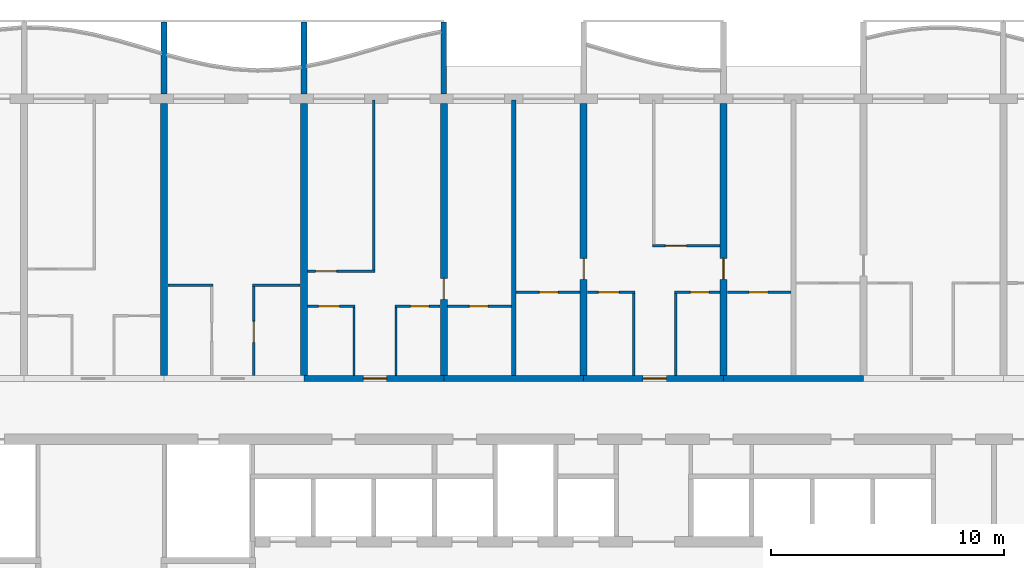
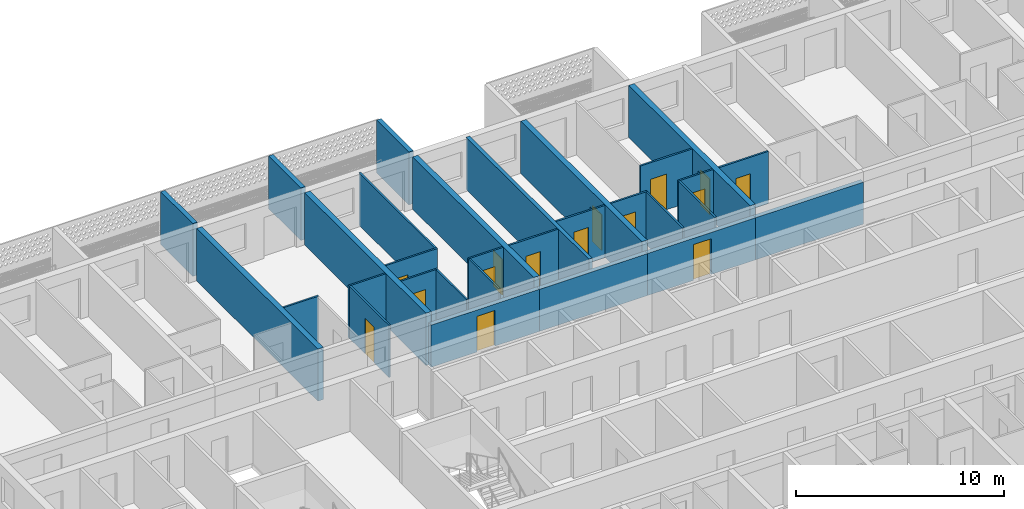
# One storey, part 9 of 32: 30 walls, 15 doors, 15 openings.
"""IFC4 building model written with IfcOpenShell, lengths in metres."""

from ifc_helpers import new_model, si_unit, direction, frame, frame_2d, origin, place, context, subcontext, project, spatial, polyline, rectangle, outline, extrude, source, transform, mapped, material, layer, layer_set, type_object, element, fill, save


model = new_model("IFC4")

# Units and contexts
model_context = context("Model", 3, precision=1e-05, world=origin(), true_north=direction((0.0, 1.0)))
body_context = subcontext(model_context, "Body", "Model", "MODEL_VIEW")
ifc_project = project(units=[si_unit("LENGTHUNIT", "METRE"), si_unit("AREAUNIT", "SQUARE_METRE"), si_unit("VOLUMEUNIT", "CUBIC_METRE"), si_unit("PLANEANGLEUNIT", "RADIAN"), si_unit("MASSUNIT", "GRAM", prefix="KILO")], contexts=[model_context])

# Site, building, storey
site_placement = place(None, origin())
site = spatial("IfcSite", under=ifc_project, at=site_placement, CompositionType="ELEMENT")
building_placement = place(site_placement, origin())
building = spatial("IfcBuilding", under=site, at=building_placement, Name="Poui Terraces", CompositionType="ELEMENT")
storey_placement = place(building_placement, frame((0.0, 0.0, 122.39990234375)))
storey = spatial("IfcBuildingStorey", under=building, at=storey_placement, Name="L33", CompositionType="ELEMENT", Elevation=122.39990234375)

# Wall, opening, door
ifc_material_1 = material(Name="Concrete 65 MPa", Category="concrete")
ifc_layer_1 = layer(ifc_material_1, 0.25)
ifc_layer_set_1 = layer_set([ifc_layer_1], Name="Concrete 65 MPa")
wall_type_1 = type_object("IfcWallType", Name="CORRIDOR WALL 250 65MPa", PredefinedType="SHEAR", material=ifc_layer_set_1)
wall_1_placement = place(storey_placement, frame((36.0, 30.39990234375, 0.0), z_axis=(0.0, 0.0, 1.0), x_axis=(1.0, 0.0, 0.0)))
wall_1 = element("IfcWall", 1, at=wall_1_placement, inside=storey, type_object=wall_type_1, Name="CORRIDOR WALL LINE E BAY 5", PredefinedType="SHEAR", context=body_context, shape_type="SweptSolid", body=[
    extrude(rectangle(XDim=6.0, YDim=0.25, at=frame_2d((3.0, 0.0))), origin(), (0.0, 0.0, 1.0), 2.47021484375),
])
opening_1_placement = place(wall_1_placement, frame((2.550048828125, 0.0, 0.0)))
opening_1 = element("IfcOpeningElement", 2, at=opening_1_placement, cuts=wall_1, Name="Opening FD30S", PredefinedType="OPENING", context=body_context, shape_type="SweptSolid", body=[
    extrude(rectangle(XDim=1.0, YDim=2.10009765625, at=frame_2d((0.5, 1.050048828125))), frame((0.0, 0.135009765625, 0.0), z_axis=(0.0, -1.0, 0.0), x_axis=(1.0, 0.0, 0.0)), (0.0, 0.0, 1.0), 0.27001953125),
])
ifc_material_2 = material(Name="Steel fire door", Category="steel")
door_type_1 = type_object("IfcDoorType", Name="FLAT ENTRANCE DOOR 1000 X 2100", OperationType="NOTDEFINED", PredefinedType="DOOR", material=ifc_material_2)
door_1_placement = place(opening_1_placement, origin())
door_1 = element("IfcDoor", 3, at=door_1_placement, inside=storey, type_object=door_type_1, Name="FLAT ENTRANCE DOOR 049", OperationType="SINGLE_SWING_RIGHT", OverallHeight=2.10009765625, OverallWidth=1.0, PredefinedType="DOOR", context=body_context, shape_type="SweptSolid", body=[
    extrude(rectangle(XDim=1.0, YDim=2.10009765625, at=frame_2d((0.5, 1.050048828125))), frame((0.0, 0.02490234375, 0.0), z_axis=(0.0, -1.0, 0.0), x_axis=(1.0, 0.0, 0.0)), (0.0, 0.0, 1.0), 0.050048828125),
])
fill(opening_1, door_1)

# Wall
wall_2_placement = place(storey_placement, frame((42.0, 30.39990234375, 0.0), z_axis=(0.0, 0.0, 1.0), x_axis=(1.0, 0.0, 0.0)))
element("IfcWall", 4, at=wall_2_placement, inside=storey, type_object=wall_type_1, Name="CORRIDOR WALL LINE E BAY 6", PredefinedType="SHEAR", context=body_context, shape_type="SweptSolid", body=[
    extrude(rectangle(XDim=6.0, YDim=0.25, at=frame_2d((3.0, 0.0))), origin(), (0.0, 0.0, 1.0), 2.47021484375),
])

# Wall, opening, door
wall_3_placement = place(storey_placement, frame((48.0, 30.39990234375, 0.0), z_axis=(0.0, 0.0, 1.0), x_axis=(1.0, 0.0, 0.0)))
wall_3 = element("IfcWall", 5, at=wall_3_placement, inside=storey, type_object=wall_type_1, Name="CORRIDOR WALL LINE E BAY 7", PredefinedType="SHEAR", context=body_context, shape_type="SweptSolid", body=[
    extrude(rectangle(XDim=6.0, YDim=0.25, at=frame_2d((3.0, 0.0))), origin(), (0.0, 0.0, 1.0), 2.47021484375),
])
opening_2_placement = place(wall_3_placement, frame((2.550048828125, 0.0, 0.0)))
opening_2 = element("IfcOpeningElement", 6, at=opening_2_placement, cuts=wall_3, Name="Opening FD30S", PredefinedType="OPENING", context=body_context, shape_type="SweptSolid", body=[
    extrude(rectangle(XDim=1.0, YDim=2.10009765625, at=frame_2d((0.5, 1.050048828125))), frame((0.0, 0.135009765625, 0.0), z_axis=(0.0, -1.0, 0.0), x_axis=(1.0, 0.0, 0.0)), (0.0, 0.0, 1.0), 0.27001953125),
])
door_2_placement = place(opening_2_placement, origin())
door_2 = element("IfcDoor", 7, at=door_2_placement, inside=storey, type_object=door_type_1, Name="FLAT ENTRANCE DOOR 056", OperationType="SINGLE_SWING_RIGHT", OverallHeight=2.10009765625, OverallWidth=1.0, PredefinedType="DOOR", context=body_context, shape_type="SweptSolid", body=[
    extrude(rectangle(XDim=1.0, YDim=2.10009765625, at=frame_2d((0.5, 1.050048828125))), frame((0.0, 0.02490234375, 0.0), z_axis=(0.0, -1.0, 0.0), x_axis=(1.0, 0.0, 0.0)), (0.0, 0.0, 1.0), 0.050048828125),
])
fill(opening_2, door_2)

# Walls
wall_4_placement = place(storey_placement, frame((54.0, 30.39990234375, 0.0), z_axis=(0.0, 0.0, 1.0), x_axis=(1.0, 0.0, 0.0)))
element("IfcWall", 8, at=wall_4_placement, inside=storey, type_object=wall_type_1, Name="CORRIDOR WALL LINE E BAY 8", PredefinedType="SHEAR", context=body_context, shape_type="SweptSolid", body=[
    extrude(rectangle(XDim=6.0, YDim=0.25, at=frame_2d((3.0, 0.0))), origin(), (0.0, 0.0, 1.0), 2.47021484375),
])
ifc_layer_2 = layer(ifc_material_1, 0.300048828125)
ifc_layer_set_2 = layer_set([ifc_layer_2], Name="Concrete 65 MPa")
wall_type_2 = type_object("IfcWallType", Name="CROSS WALL 300 65MPa", PredefinedType="SHEAR", material=ifc_layer_set_2)
for number, where, z_axis, x_axis, name in (
    (9, (30.0, 30.52490234375, 0.0), (0.0, 0.0, 1.0), (0.0, 1.0, 0.0), "CROSS WALL LINE 6 NORTH"),
    (10, (36.0, 30.52490234375, 0.0), (0.0, 0.0, 1.0), (0.0, 1.0, 0.0), "CROSS WALL LINE 7 NORTH"),
):
    element("IfcWall", number, at=place(storey_placement, frame(where, z_axis=z_axis, x_axis=x_axis)), inside=storey, type_object=wall_type_2, Name=name, PredefinedType="SHEAR", context=body_context, shape_type="SweptSolid", body=[
        extrude(rectangle(XDim=11.675048828125, YDim=0.300048828125, at=frame_2d((5.83740234375, 0.0))), origin(), (0.0, 0.0, 1.0), 3.070068359375),
    ])

# Wall, opening, door
wall_5_placement = place(storey_placement, frame((42.0, 30.52490234375, 0.0), z_axis=(0.0, 0.0, 1.0), x_axis=(0.0, 1.0, 0.0)))
wall_5 = element("IfcWall", 11, at=wall_5_placement, inside=storey, type_object=wall_type_2, Name="CROSS WALL LINE 8 NORTH", PredefinedType="SHEAR", context=body_context, shape_type="SweptSolid", body=[
    extrude(rectangle(XDim=11.675048828125, YDim=0.300048828125, at=frame_2d((5.83740234375, 0.0))), origin(), (0.0, 0.0, 1.0), 3.070068359375),
])
opening_3_placement = place(wall_5_placement, frame((3.27490234375, 0.0, 0.0)))
opening_3 = element("IfcOpeningElement", 12, at=opening_3_placement, cuts=wall_5, Name="Opening D90", PredefinedType="OPENING", context=body_context, shape_type="SweptSolid", body=[
    extrude(rectangle(XDim=0.89990234375, YDim=2.10009765625, at=frame_2d((0.449951171875, 1.050048828125))), frame((0.0, 0.16015625, 0.0), z_axis=(0.0, -1.0, 0.0), x_axis=(1.0, 0.0, 0.0)), (0.0, 0.0, 1.0), 0.320068359375),
])
ifc_material_3 = material(Name="Solid core timber door", Category="wood")
door_type_2 = type_object("IfcDoorType", Name="INTERNAL DOOR 900 X 2100", OperationType="NOTDEFINED", PredefinedType="DOOR", material=ifc_material_3)
door_3_placement = place(opening_3_placement, frame((0.89990234375, 0.0, 0.0), z_axis=(0.0, 0.0, 1.0), x_axis=(-1.0, 0.0, 0.0)))
door_3 = element("IfcDoor", 13, at=door_3_placement, inside=storey, type_object=door_type_2, Name="INTERNAL DOOR 051", OperationType="SINGLE_SWING_RIGHT", OverallHeight=2.10009765625, OverallWidth=0.89990234375, PredefinedType="DOOR", context=body_context, shape_type="SweptSolid", body=[
    extrude(rectangle(XDim=0.89990234375, YDim=2.10009765625, at=frame_2d((0.449951171875, 1.050048828125))), frame((0.0, 0.02490234375, 0.0), z_axis=(0.0, -1.0, 0.0), x_axis=(1.0, 0.0, 0.0)), (0.0, 0.0, 1.0), 0.050048828125),
])
fill(opening_3, door_3)

wall_6_placement = place(storey_placement, frame((48.0, 30.52490234375, 0.0), z_axis=(0.0, 0.0, 1.0), x_axis=(0.0, 1.0, 0.0)))
wall_6 = element("IfcWall", 14, at=wall_6_placement, inside=storey, type_object=wall_type_2, Name="CROSS WALL LINE 9 NORTH", PredefinedType="SHEAR", context=body_context, shape_type="SweptSolid", body=[
    extrude(rectangle(XDim=11.675048828125, YDim=0.300048828125, at=frame_2d((5.83740234375, 0.0))), origin(), (0.0, 0.0, 1.0), 3.070068359375),
])
opening_4_placement = place(wall_6_placement, frame((4.125, 0.0, 0.0)))
opening_4 = element("IfcOpeningElement", 15, at=opening_4_placement, cuts=wall_6, Name="Opening D90", PredefinedType="OPENING", context=body_context, shape_type="SweptSolid", body=[
    extrude(rectangle(XDim=0.89990234375, YDim=2.10009765625, at=frame_2d((0.449951171875, 1.050048828125))), frame((0.0, 0.16015625, 0.0), z_axis=(0.0, -1.0, 0.0), x_axis=(1.0, 0.0, 0.0)), (0.0, 0.0, 1.0), 0.320068359375),
])
door_4_placement = place(opening_4_placement, origin())
door_4 = element("IfcDoor", 16, at=door_4_placement, inside=storey, type_object=door_type_2, Name="INTERNAL DOOR 054", OperationType="SINGLE_SWING_LEFT", OverallHeight=2.10009765625, OverallWidth=0.89990234375, PredefinedType="DOOR", context=body_context, shape_type="SweptSolid", body=[
    extrude(rectangle(XDim=0.89990234375, YDim=2.10009765625, at=frame_2d((0.449951171875, 1.050048828125))), frame((0.0, 0.02490234375, 0.0), z_axis=(0.0, -1.0, 0.0), x_axis=(1.0, 0.0, 0.0)), (0.0, 0.0, 1.0), 0.050048828125),
])
fill(opening_4, door_4)

wall_7_placement = place(storey_placement, frame((54.0, 30.52490234375, 0.0), z_axis=(0.0, 0.0, 1.0), x_axis=(0.0, 1.0, 0.0)))
wall_7 = element("IfcWall", 17, at=wall_7_placement, inside=storey, type_object=wall_type_2, Name="CROSS WALL LINE 10 NORTH", PredefinedType="SHEAR", context=body_context, shape_type="SweptSolid", body=[
    extrude(rectangle(XDim=11.675048828125, YDim=0.300048828125, at=frame_2d((5.83740234375, 0.0))), origin(), (0.0, 0.0, 1.0), 3.070068359375),
])
opening_5_placement = place(wall_7_placement, frame((4.125, 0.0, 0.0)))
opening_5 = element("IfcOpeningElement", 18, at=opening_5_placement, cuts=wall_7, Name="Opening D90", PredefinedType="OPENING", context=body_context, shape_type="SweptSolid", body=[
    extrude(rectangle(XDim=0.89990234375, YDim=2.10009765625, at=frame_2d((0.449951171875, 1.050048828125))), frame((0.0, 0.16015625, 0.0), z_axis=(0.0, -1.0, 0.0), x_axis=(1.0, 0.0, 0.0)), (0.0, 0.0, 1.0), 0.320068359375),
])
door_5_placement = place(opening_5_placement, frame((0.89990234375, 0.0, 0.0), z_axis=(0.0, 0.0, 1.0), x_axis=(-1.0, 0.0, 0.0)))
door_5 = element("IfcDoor", 19, at=door_5_placement, inside=storey, type_object=door_type_2, Name="INTERNAL DOOR 059", OperationType="SINGLE_SWING_RIGHT", OverallHeight=2.10009765625, OverallWidth=0.89990234375, PredefinedType="DOOR", context=body_context, shape_type="SweptSolid", body=[
    extrude(rectangle(XDim=0.89990234375, YDim=2.10009765625, at=frame_2d((0.449951171875, 1.050048828125))), frame((0.0, 0.02490234375, 0.0), z_axis=(0.0, -1.0, 0.0), x_axis=(1.0, 0.0, 0.0)), (0.0, 0.0, 1.0), 0.050048828125),
])
fill(opening_5, door_5)

ifc_material_4 = material(Name="Plasterboard partition")
ifc_layer_3 = layer(ifc_material_4, 0.10009765625)
ifc_layer_set_3 = layer_set([ifc_layer_3], Name="Plasterboard partition")
wall_type_3 = type_object("IfcWallType", Name="FLAT PARTITION 100", PredefinedType="PARTITIONING", material=ifc_layer_set_3)
wall_8_placement = place(storey_placement, frame((36.159912109375, 33.5, 0.0), z_axis=(0.0, 0.0, 1.0), x_axis=(1.0, 0.0, 0.0)))
wall_8 = element("IfcWall", 20, at=wall_8_placement, inside=storey, type_object=wall_type_3, Name="FLAT PARTITION 100", PredefinedType="PARTITIONING", context=body_context, shape_type="SweptSolid", body=[
    extrude(rectangle(XDim=2.0400390625, YDim=0.10009765625, at=frame_2d((1.02001953125, 0.0))), origin(), (0.0, 0.0, 1.0), 3.070068359375),
])
opening_6_placement = place(wall_8_placement, frame((0.465087890625, 0.0, 0.0)))
opening_6 = element("IfcOpeningElement", 21, at=opening_6_placement, cuts=wall_8, Name="Opening D90", PredefinedType="OPENING", context=body_context, shape_type="SweptSolid", body=[
    extrude(rectangle(XDim=0.89990234375, YDim=2.10009765625, at=frame_2d((0.449951171875, 1.050048828125))), frame((0.0, 0.06005859375, 0.0), z_axis=(0.0, -1.0, 0.0), x_axis=(1.0, 0.0, 0.0)), (0.0, 0.0, 1.0), 0.1201171875),
])
door_6_placement = place(opening_6_placement, frame((0.89990234375, 0.0, 0.0), z_axis=(0.0, 0.0, 1.0), x_axis=(-1.0, 0.0, 0.0)))
door_6 = element("IfcDoor", 22, at=door_6_placement, inside=storey, type_object=door_type_2, Name="INTERNAL DOOR 048", OperationType="SINGLE_SWING_RIGHT", OverallHeight=2.10009765625, OverallWidth=0.89990234375, PredefinedType="DOOR", context=body_context, shape_type="SweptSolid", body=[
    extrude(rectangle(XDim=0.89990234375, YDim=2.10009765625, at=frame_2d((0.449951171875, 1.050048828125))), frame((0.0, 0.02490234375, 0.0), z_axis=(0.0, -1.0, 0.0), x_axis=(1.0, 0.0, 0.0)), (0.0, 0.0, 1.0), 0.050048828125),
])
fill(opening_6, door_6)

wall_9_placement = place(storey_placement, frame((39.89990234375, 33.5, 0.0), z_axis=(0.0, 0.0, 1.0), x_axis=(1.0, 0.0, 0.0)))
wall_9 = element("IfcWall", 23, at=wall_9_placement, inside=storey, type_object=wall_type_3, Name="FLAT PARTITION 100", PredefinedType="PARTITIONING", context=body_context, shape_type="SweptSolid", body=[
    extrude(rectangle(XDim=1.940185546875, YDim=0.10009765625, at=frame_2d((0.97021484375, 0.0))), origin(), (0.0, 0.0, 1.0), 3.070068359375),
])
opening_7_placement = place(wall_9_placement, frame((0.675048828125, 0.0, 0.0)))
opening_7 = element("IfcOpeningElement", 24, at=opening_7_placement, cuts=wall_9, Name="Opening D80", PredefinedType="OPENING", context=body_context, shape_type="SweptSolid", body=[
    extrude(rectangle(XDim=0.800048828125, YDim=2.10009765625, at=frame_2d((0.39990234375, 1.050048828125))), frame((0.0, 0.06005859375, 0.0), z_axis=(0.0, -1.0, 0.0), x_axis=(1.0, 0.0, 0.0)), (0.0, 0.0, 1.0), 0.1201171875),
])
door_type_3 = type_object("IfcDoorType", Name="BATHROOM, LAUNDRY AND STORE DOOR 800 X 2100", OperationType="NOTDEFINED", PredefinedType="DOOR", material=ifc_material_3)
door_7_placement = place(opening_7_placement, frame((0.800048828125, 0.0, 0.0), z_axis=(0.0, 0.0, 1.0), x_axis=(-1.0, 0.0, 0.0)))
door_7 = element("IfcDoor", 25, at=door_7_placement, inside=storey, type_object=door_type_3, Name="BATHROOM, LAUNDRY AND STORE DOOR 050", OperationType="SINGLE_SWING_LEFT", OverallHeight=2.10009765625, OverallWidth=0.800048828125, PredefinedType="DOOR", context=body_context, shape_type="SweptSolid", body=[
    extrude(rectangle(XDim=0.800048828125, YDim=2.10009765625, at=frame_2d((0.39990234375, 1.050048828125))), frame((0.0, 0.02490234375, 0.0), z_axis=(0.0, -1.0, 0.0), x_axis=(1.0, 0.0, 0.0)), (0.0, 0.0, 1.0), 0.050048828125),
])
fill(opening_7, door_7)

wall_10_placement = place(storey_placement, frame((42.159912109375, 33.5, 0.0), z_axis=(0.0, 0.0, 1.0), x_axis=(1.0, 0.0, 0.0)))
wall_10 = element("IfcWall", 26, at=wall_10_placement, inside=storey, type_object=wall_type_3, Name="FLAT PARTITION 100", PredefinedType="PARTITIONING", context=body_context, shape_type="SweptSolid", body=[
    extrude(rectangle(XDim=2.739990234375, YDim=0.10009765625, at=frame_2d((1.3701171875, 0.0))), origin(), (0.0, 0.0, 1.0), 3.070068359375),
])
opening_8_placement = place(wall_10_placement, frame((0.93994140625, 0.0, 0.0)))
opening_8 = element("IfcOpeningElement", 27, at=opening_8_placement, cuts=wall_10, Name="Opening D80", PredefinedType="OPENING", context=body_context, shape_type="SweptSolid", body=[
    extrude(rectangle(XDim=0.800048828125, YDim=2.10009765625, at=frame_2d((0.39990234375, 1.050048828125))), frame((0.0, 0.06005859375, 0.0), z_axis=(0.0, -1.0, 0.0), x_axis=(1.0, 0.0, 0.0)), (0.0, 0.0, 1.0), 0.1201171875),
])
door_8_placement = place(opening_8_placement, frame((0.800048828125, 0.0, 0.0), z_axis=(0.0, 0.0, 1.0), x_axis=(-1.0, 0.0, 0.0)))
door_8 = element("IfcDoor", 28, at=door_8_placement, inside=storey, type_object=door_type_3, Name="BATHROOM, LAUNDRY AND STORE DOOR 046", OperationType="SINGLE_SWING_RIGHT", OverallHeight=2.10009765625, OverallWidth=0.800048828125, PredefinedType="DOOR", context=body_context, shape_type="SweptSolid", body=[
    extrude(rectangle(XDim=0.800048828125, YDim=2.10009765625, at=frame_2d((0.39990234375, 1.050048828125))), frame((0.0, 0.02490234375, 0.0), z_axis=(0.0, -1.0, 0.0), x_axis=(1.0, 0.0, 0.0)), (0.0, 0.0, 1.0), 0.050048828125),
])
fill(opening_8, door_8)

wall_11_placement = place(storey_placement, frame((45.10009765625, 34.10009765625, 0.0), z_axis=(0.0, 0.0, 1.0), x_axis=(1.0, 0.0, 0.0)))
wall_11 = element("IfcWall", 29, at=wall_11_placement, inside=storey, type_object=wall_type_3, Name="FLAT PARTITION 100", PredefinedType="PARTITIONING", context=body_context, shape_type="SweptSolid", body=[
    extrude(rectangle(XDim=2.739990234375, YDim=0.10009765625, at=frame_2d((1.3701171875, 0.0))), origin(), (0.0, 0.0, 1.0), 3.070068359375),
])
opening_9_placement = place(wall_11_placement, frame((1.0, 0.0, 0.0)))
opening_9 = element("IfcOpeningElement", 30, at=opening_9_placement, cuts=wall_11, Name="Opening D80", PredefinedType="OPENING", context=body_context, shape_type="SweptSolid", body=[
    extrude(rectangle(XDim=0.800048828125, YDim=2.10009765625, at=frame_2d((0.39990234375, 1.050048828125))), frame((0.0, 0.06005859375, 0.0), z_axis=(0.0, -1.0, 0.0), x_axis=(1.0, 0.0, 0.0)), (0.0, 0.0, 1.0), 0.1201171875),
])
door_9_placement = place(opening_9_placement, frame((0.800048828125, 0.0, 0.0), z_axis=(0.0, 0.0, 1.0), x_axis=(-1.0, 0.0, 0.0)))
door_9 = element("IfcDoor", 31, at=door_9_placement, inside=storey, type_object=door_type_3, Name="BATHROOM, LAUNDRY AND STORE DOOR 052", OperationType="SINGLE_SWING_LEFT", OverallHeight=2.10009765625, OverallWidth=0.800048828125, PredefinedType="DOOR", context=body_context, shape_type="SweptSolid", body=[
    extrude(rectangle(XDim=0.800048828125, YDim=2.10009765625, at=frame_2d((0.39990234375, 1.050048828125))), frame((0.0, 0.02490234375, 0.0), z_axis=(0.0, -1.0, 0.0), x_axis=(1.0, 0.0, 0.0)), (0.0, 0.0, 1.0), 0.050048828125),
])
fill(opening_9, door_9)

wall_12_placement = place(storey_placement, frame((48.159912109375, 34.10009765625, 0.0), z_axis=(0.0, 0.0, 1.0), x_axis=(1.0, 0.0, 0.0)))
wall_12 = element("IfcWall", 32, at=wall_12_placement, inside=storey, type_object=wall_type_3, Name="FLAT PARTITION 100", PredefinedType="PARTITIONING", context=body_context, shape_type="SweptSolid", body=[
    extrude(rectangle(XDim=2.0400390625, YDim=0.10009765625, at=frame_2d((1.02001953125, 0.0))), origin(), (0.0, 0.0, 1.0), 3.070068359375),
])
opening_10_placement = place(wall_12_placement, frame((0.465087890625, 0.0, 0.0)))
opening_10 = element("IfcOpeningElement", 33, at=opening_10_placement, cuts=wall_12, Name="Opening D90", PredefinedType="OPENING", context=body_context, shape_type="SweptSolid", body=[
    extrude(rectangle(XDim=0.89990234375, YDim=2.10009765625, at=frame_2d((0.449951171875, 1.050048828125))), frame((0.0, 0.06005859375, 0.0), z_axis=(0.0, -1.0, 0.0), x_axis=(1.0, 0.0, 0.0)), (0.0, 0.0, 1.0), 0.1201171875),
])
door_10_placement = place(opening_10_placement, frame((0.89990234375, 0.0, 0.0), z_axis=(0.0, 0.0, 1.0), x_axis=(-1.0, 0.0, 0.0)))
door_10 = element("IfcDoor", 34, at=door_10_placement, inside=storey, type_object=door_type_2, Name="INTERNAL DOOR 055", OperationType="SINGLE_SWING_LEFT", OverallHeight=2.10009765625, OverallWidth=0.89990234375, PredefinedType="DOOR", context=body_context, shape_type="SweptSolid", body=[
    extrude(rectangle(XDim=0.89990234375, YDim=2.10009765625, at=frame_2d((0.449951171875, 1.050048828125))), frame((0.0, 0.02490234375, 0.0), z_axis=(0.0, -1.0, 0.0), x_axis=(1.0, 0.0, 0.0)), (0.0, 0.0, 1.0), 0.050048828125),
])
fill(opening_10, door_10)

wall_13_placement = place(storey_placement, frame((51.89990234375, 34.10009765625, 0.0), z_axis=(0.0, 0.0, 1.0), x_axis=(1.0, 0.0, 0.0)))
wall_13 = element("IfcWall", 35, at=wall_13_placement, inside=storey, type_object=wall_type_3, Name="FLAT PARTITION 100", PredefinedType="PARTITIONING", context=body_context, shape_type="SweptSolid", body=[
    extrude(rectangle(XDim=1.940185546875, YDim=0.10009765625, at=frame_2d((0.97021484375, 0.0))), origin(), (0.0, 0.0, 1.0), 3.070068359375),
])
opening_11_placement = place(wall_13_placement, frame((0.675048828125, 0.0, 0.0)))
opening_11 = element("IfcOpeningElement", 36, at=opening_11_placement, cuts=wall_13, Name="Opening D80", PredefinedType="OPENING", context=body_context, shape_type="SweptSolid", body=[
    extrude(rectangle(XDim=0.800048828125, YDim=2.10009765625, at=frame_2d((0.39990234375, 1.050048828125))), frame((0.0, 0.06005859375, 0.0), z_axis=(0.0, -1.0, 0.0), x_axis=(1.0, 0.0, 0.0)), (0.0, 0.0, 1.0), 0.1201171875),
])
door_11_placement = place(opening_11_placement, frame((0.800048828125, 0.0, 0.0), z_axis=(0.0, 0.0, 1.0), x_axis=(-1.0, 0.0, 0.0)))
door_11 = element("IfcDoor", 37, at=door_11_placement, inside=storey, type_object=door_type_3, Name="BATHROOM, LAUNDRY AND STORE DOOR 058", OperationType="SINGLE_SWING_RIGHT", OverallHeight=2.10009765625, OverallWidth=0.800048828125, PredefinedType="DOOR", context=body_context, shape_type="SweptSolid", body=[
    extrude(rectangle(XDim=0.800048828125, YDim=2.10009765625, at=frame_2d((0.39990234375, 1.050048828125))), frame((0.0, 0.02490234375, 0.0), z_axis=(0.0, -1.0, 0.0), x_axis=(1.0, 0.0, 0.0)), (0.0, 0.0, 1.0), 0.050048828125),
])
fill(opening_11, door_11)

wall_14_placement = place(storey_placement, frame((54.159912109375, 34.10009765625, 0.0), z_axis=(0.0, 0.0, 1.0), x_axis=(1.0, 0.0, 0.0)))
wall_14 = element("IfcWall", 38, at=wall_14_placement, inside=storey, type_object=wall_type_3, Name="FLAT PARTITION 100", PredefinedType="PARTITIONING", context=body_context, shape_type="SweptSolid", body=[
    extrude(rectangle(XDim=2.739990234375, YDim=0.10009765625, at=frame_2d((1.3701171875, 0.0))), origin(), (0.0, 0.0, 1.0), 3.070068359375),
])
opening_12_placement = place(wall_14_placement, frame((0.93994140625, 0.0, 0.0)))
opening_12 = element("IfcOpeningElement", 39, at=opening_12_placement, cuts=wall_14, Name="Opening D80", PredefinedType="OPENING", context=body_context, shape_type="SweptSolid", body=[
    extrude(rectangle(XDim=0.800048828125, YDim=2.10009765625, at=frame_2d((0.39990234375, 1.050048828125))), frame((0.0, 0.06005859375, 0.0), z_axis=(0.0, -1.0, 0.0), x_axis=(1.0, 0.0, 0.0)), (0.0, 0.0, 1.0), 0.1201171875),
])
door_12_placement = place(opening_12_placement, frame((0.800048828125, 0.0, 0.0), z_axis=(0.0, 0.0, 1.0), x_axis=(-1.0, 0.0, 0.0)))
door_12 = element("IfcDoor", 40, at=door_12_placement, inside=storey, type_object=door_type_3, Name="BATHROOM, LAUNDRY AND STORE DOOR 053", OperationType="SINGLE_SWING_LEFT", OverallHeight=2.10009765625, OverallWidth=0.800048828125, PredefinedType="DOOR", context=body_context, shape_type="SweptSolid", body=[
    extrude(rectangle(XDim=0.800048828125, YDim=2.10009765625, at=frame_2d((0.39990234375, 1.050048828125))), frame((0.0, 0.02490234375, 0.0), z_axis=(0.0, -1.0, 0.0), x_axis=(1.0, 0.0, 0.0)), (0.0, 0.0, 1.0), 0.050048828125),
])
fill(opening_12, door_12)

# Walls
wall_15_placement = place(storey_placement, frame((30.159912109375, 34.39990234375, 0.0), z_axis=(0.0, 0.0, 1.0), x_axis=(1.0, 0.0, 0.0)))
element("IfcWall", 41, at=wall_15_placement, inside=storey, type_object=wall_type_3, Name="FLAT PARTITION 100", PredefinedType="PARTITIONING", context=body_context, shape_type="SweptSolid", body=[
    extrude(rectangle(XDim=1.940185546875, YDim=0.10009765625, at=frame_2d((0.97021484375, 0.0))), origin(), (0.0, 0.0, 1.0), 3.070068359375),
])
wall_16_placement = place(storey_placement, frame((33.800048828125, 34.39990234375, 0.0), z_axis=(0.0, 0.0, 1.0), x_axis=(1.0, 0.0, 0.0)))
element("IfcWall", 42, at=wall_16_placement, inside=storey, type_object=wall_type_3, Name="FLAT PARTITION 100", PredefinedType="PARTITIONING", context=body_context, shape_type="SweptSolid", body=[
    extrude(rectangle(XDim=2.0400390625, YDim=0.10009765625, at=frame_2d((1.02001953125, 0.0))), origin(), (0.0, 0.0, 1.0), 3.070068359375),
])

# Wall, opening, door
wall_17_placement = place(storey_placement, frame((36.159912109375, 35.0, 0.0), z_axis=(0.0, 0.0, 1.0), x_axis=(1.0, 0.0, 0.0)))
wall_17 = element("IfcWall", 43, at=wall_17_placement, inside=storey, type_object=wall_type_3, Name="FLAT PARTITION 100", PredefinedType="PARTITIONING", context=body_context, shape_type="SweptSolid", body=[
    extrude(rectangle(XDim=2.89013671875, YDim=0.10009765625, at=frame_2d((1.445068359375, 0.0))), origin(), (0.0, 0.0, 1.0), 3.070068359375),
])
opening_13_placement = place(wall_17_placement, frame((0.340087890625, 0.0, 0.0)))
opening_13 = element("IfcOpeningElement", 44, at=opening_13_placement, cuts=wall_17, Name="Opening D90", PredefinedType="OPENING", context=body_context, shape_type="SweptSolid", body=[
    extrude(rectangle(XDim=0.89990234375, YDim=2.10009765625, at=frame_2d((0.449951171875, 1.050048828125))), frame((0.0, 0.06005859375, 0.0), z_axis=(0.0, -1.0, 0.0), x_axis=(1.0, 0.0, 0.0)), (0.0, 0.0, 1.0), 0.1201171875),
])
door_13_placement = place(opening_13_placement, frame((0.89990234375, 0.0, 0.0), z_axis=(0.0, 0.0, 1.0), x_axis=(-1.0, 0.0, 0.0)))
door_13 = element("IfcDoor", 45, at=door_13_placement, inside=storey, type_object=door_type_2, Name="INTERNAL DOOR 047", OperationType="SINGLE_SWING_LEFT", OverallHeight=2.10009765625, OverallWidth=0.89990234375, PredefinedType="DOOR", context=body_context, shape_type="SweptSolid", body=[
    extrude(rectangle(XDim=0.89990234375, YDim=2.10009765625, at=frame_2d((0.449951171875, 1.050048828125))), frame((0.0, 0.02490234375, 0.0), z_axis=(0.0, -1.0, 0.0), x_axis=(1.0, 0.0, 0.0)), (0.0, 0.0, 1.0), 0.050048828125),
])
fill(opening_13, door_13)

wall_18_placement = place(storey_placement, frame((50.949951171875, 36.10009765625, 0.0), z_axis=(0.0, 0.0, 1.0), x_axis=(1.0, 0.0, 0.0)))
wall_18 = element("IfcWall", 46, at=wall_18_placement, inside=storey, type_object=wall_type_3, Name="FLAT PARTITION 100", PredefinedType="PARTITIONING", context=body_context, shape_type="SweptSolid", body=[
    extrude(rectangle(XDim=2.89013671875, YDim=0.10009765625, at=frame_2d((1.445068359375, 0.0))), origin(), (0.0, 0.0, 1.0), 3.070068359375),
])
opening_14_placement = place(wall_18_placement, frame((0.550048828125, 0.0, 0.0)))
opening_14 = element("IfcOpeningElement", 47, at=opening_14_placement, cuts=wall_18, Name="Opening D90", PredefinedType="OPENING", context=body_context, shape_type="SweptSolid", body=[
    extrude(rectangle(XDim=0.89990234375, YDim=2.10009765625, at=frame_2d((0.449951171875, 1.050048828125))), frame((0.0, 0.06005859375, 0.0), z_axis=(0.0, -1.0, 0.0), x_axis=(1.0, 0.0, 0.0)), (0.0, 0.0, 1.0), 0.1201171875),
])
door_14_placement = place(opening_14_placement, frame((0.89990234375, 0.0, 0.0), z_axis=(0.0, 0.0, 1.0), x_axis=(-1.0, 0.0, 0.0)))
door_14 = element("IfcDoor", 48, at=door_14_placement, inside=storey, type_object=door_type_2, Name="INTERNAL DOOR 057", OperationType="SINGLE_SWING_LEFT", OverallHeight=2.10009765625, OverallWidth=0.89990234375, PredefinedType="DOOR", context=body_context, shape_type="SweptSolid", body=[
    extrude(rectangle(XDim=0.89990234375, YDim=2.10009765625, at=frame_2d((0.449951171875, 1.050048828125))), frame((0.0, 0.02490234375, 0.0), z_axis=(0.0, -1.0, 0.0), x_axis=(1.0, 0.0, 0.0)), (0.0, 0.0, 1.0), 0.050048828125),
])
fill(opening_14, door_14)

wall_19_placement = place(storey_placement, frame((33.85009765625, 30.534912109375, 0.0), z_axis=(0.0, 0.0, 1.0), x_axis=(0.0, 1.0, 0.0)))
wall_19 = element("IfcWall", 49, at=wall_19_placement, inside=storey, type_object=wall_type_3, Name="FLAT PARTITION 100", PredefinedType="PARTITIONING", context=body_context, shape_type="SweptSolid", body=[
    extrude(rectangle(XDim=3.815185546875, YDim=0.10009765625, at=frame_2d((1.90771484375, 0.0))), origin(), (0.0, 0.0, 1.0), 3.070068359375),
])
opening_15_placement = place(wall_19_placement, frame((1.4150390625, 0.0, 0.0)))
opening_15 = element("IfcOpeningElement", 50, at=opening_15_placement, cuts=wall_19, Name="Opening D90", PredefinedType="OPENING", context=body_context, shape_type="SweptSolid", body=[
    extrude(rectangle(XDim=0.89990234375, YDim=2.10009765625, at=frame_2d((0.449951171875, 1.050048828125))), frame((0.0, 0.06005859375, 0.0), z_axis=(0.0, -1.0, 0.0), x_axis=(1.0, 0.0, 0.0)), (0.0, 0.0, 1.0), 0.1201171875),
])
door_15_placement = place(opening_15_placement, frame((0.89990234375, 0.0, 0.0), z_axis=(0.0, 0.0, 1.0), x_axis=(-1.0, 0.0, 0.0)))
door_15 = element("IfcDoor", 51, at=door_15_placement, inside=storey, type_object=door_type_2, Name="INTERNAL DOOR 045", OperationType="SINGLE_SWING_LEFT", OverallHeight=2.10009765625, OverallWidth=0.89990234375, PredefinedType="DOOR", context=body_context, shape_type="SweptSolid", body=[
    extrude(rectangle(XDim=0.89990234375, YDim=2.10009765625, at=frame_2d((0.449951171875, 1.050048828125))), frame((0.0, 0.02490234375, 0.0), z_axis=(0.0, -1.0, 0.0), x_axis=(1.0, 0.0, 0.0)), (0.0, 0.0, 1.0), 0.050048828125),
])
fill(opening_15, door_15)

# Walls
wall_20_placement = place(storey_placement, frame((38.14990234375, 30.534912109375, 0.0), z_axis=(0.0, 0.0, 1.0), x_axis=(0.0, 1.0, 0.0)))
element("IfcWall", 52, at=wall_20_placement, inside=storey, type_object=wall_type_3, Name="FLAT PARTITION 100", PredefinedType="PARTITIONING", context=body_context, shape_type="SweptSolid", body=[
    extrude(rectangle(XDim=2.9150390625, YDim=0.10009765625, at=frame_2d((1.45751953125, 0.0))), origin(), (0.0, 0.0, 1.0), 3.070068359375),
])
wall_21_placement = place(storey_placement, frame((39.0, 35.050048828125, 0.0), z_axis=(0.0, 0.0, 1.0), x_axis=(0.0, 1.0, 0.0)))
element("IfcWall", 53, at=wall_21_placement, inside=storey, type_object=wall_type_3, Name="FLAT PARTITION 100", PredefinedType="PARTITIONING", context=body_context, shape_type="SweptSolid", body=[
    extrude(rectangle(XDim=7.2900390625, YDim=0.10009765625, at=frame_2d((3.64501953125, 0.0))), origin(), (0.0, 0.0, 1.0), 3.070068359375),
])
wall_22_placement = place(storey_placement, frame((39.949951171875, 30.534912109375, 0.0), z_axis=(0.0, 0.0, 1.0), x_axis=(0.0, 1.0, 0.0)))
element("IfcWall", 54, at=wall_22_placement, inside=storey, type_object=wall_type_3, Name="FLAT PARTITION 100", PredefinedType="PARTITIONING", context=body_context, shape_type="SweptSolid", body=[
    extrude(rectangle(XDim=2.9150390625, YDim=0.10009765625, at=frame_2d((1.45751953125, 0.0))), origin(), (0.0, 0.0, 1.0), 3.070068359375),
])
for number, where, z_axis, x_axis, name in (
    (55, (50.14990234375, 30.534912109375, 0.0), (0.0, 0.0, 1.0), (0.0, 1.0, 0.0), "FLAT PARTITION 100"),
    (56, (51.949951171875, 30.534912109375, 0.0), (0.0, 0.0, 1.0), (0.0, 1.0, 0.0), "FLAT PARTITION 100"),
):
    element("IfcWall", number, at=place(storey_placement, frame(where, z_axis=z_axis, x_axis=x_axis)), inside=storey, type_object=wall_type_3, Name=name, PredefinedType="PARTITIONING", context=body_context, shape_type="SweptSolid", body=[
        extrude(rectangle(XDim=3.51513671875, YDim=0.10009765625, at=frame_2d((1.757568359375, 0.0))), origin(), (0.0, 0.0, 1.0), 3.070068359375),
    ])
ifc_material_5 = material(Name="Fire-rated masonry wall", Category="masonry")
ifc_layer_4 = layer(ifc_material_5, 0.199951171875)
ifc_layer_set_4 = layer_set([ifc_layer_4], Name="Fire-rated masonry wall")
wall_type_4 = type_object("IfcWallType", Name="FLAT PARTY WALL 200", PredefinedType="PARTITIONING", material=ifc_layer_set_4)
wall_23_placement = place(storey_placement, frame((45.0, 30.534912109375, 0.0), z_axis=(0.0, 0.0, 1.0), x_axis=(0.0, 1.0, 0.0)))
element("IfcWall", 57, at=wall_23_placement, inside=storey, type_object=wall_type_4, Name="FLAT PARTY WALL 200", PredefinedType="PARTITIONING", context=body_context, shape_type="SweptSolid", body=[
    extrude(rectangle(XDim=11.80517578125, YDim=0.199951171875, at=frame_2d((5.902587890625, 0.0))), origin(), (0.0, 0.0, 1.0), 3.070068359375),
])
ifc_material_6 = material(Name="Precast concrete 40 MPa", Category="concrete")
ifc_layer_5 = layer(ifc_material_6, 0.25)
ifc_layer_set_5 = layer_set([ifc_layer_5], Name="Precast concrete 40 MPa")
wall_type_5 = type_object("IfcWallType", Name="BALCONY FIN 250", PredefinedType="STANDARD", material=ifc_layer_set_5)
shared_shape = source(origin(), body_context, "Body", "SweptSolid", [
    extrude(outline(polyline([(0.0, 0.0), (0.25, 0.0), (0.25, 3.099853515625), (0.0, 3.099853515625), (0.0, 0.0)])), origin(), (0.0, 0.0, 1.0), 3.10009765625),
])
for number, where, name in (
    (58, (29.875, 42.60009765625, 0.0), "BALCONY FIN"),
    (59, (35.875, 42.60009765625, 0.0), "BALCONY FIN"),
    (60, (41.875, 42.60009765625, 0.0), "BALCONY FIN"),
):
    element("IfcWall", number, at=place(storey_placement, frame(where)), inside=storey, type_object=wall_type_5, Name=name, PredefinedType="STANDARD", context=body_context, shape_type="MappedRepresentation", body=[
        mapped(shared_shape, transform((0.0, 0.0, 0.0))),
    ])

save(model, "model.ifc")
